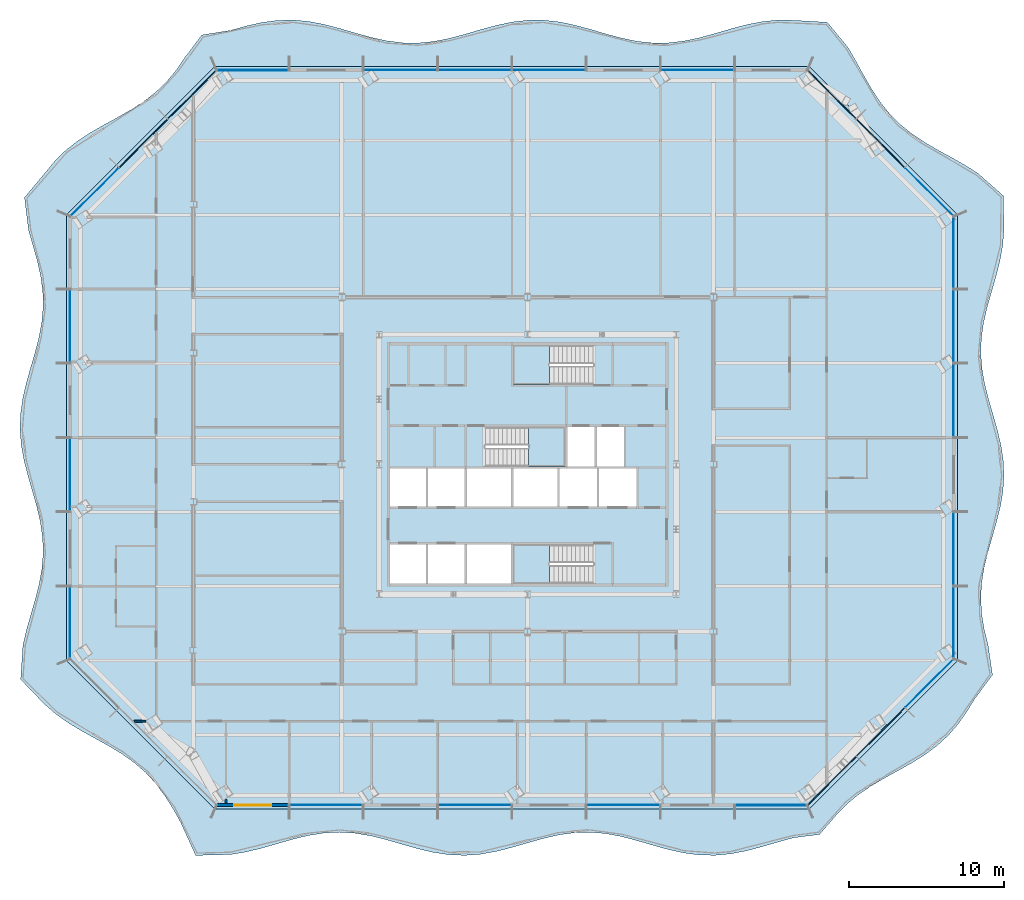
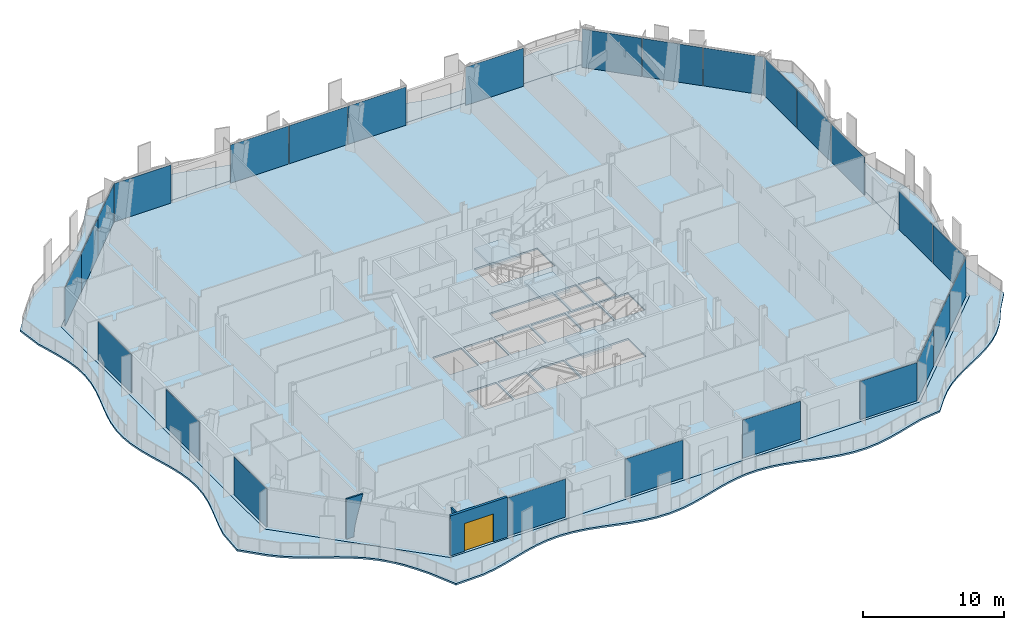
# One storey, part 6 of 21: 26 plates, 5 slabs, 3 walls, 1 door, 1 opening, 10 elements without a shape of their own.
"""IFC4 building model written with IfcOpenShell, lengths in metres."""

from ifc_helpers import new_model, si_unit, direction, frame, frame_2d, origin, origin_2d, place, context, subcontext, project, spatial, polyline, rectangle, outline, extrude, material, layer, layer_set, type_object, element, fill, aggregate, save


model = new_model("IFC4")

# Units and contexts
model_context = context("Model", 3, precision=1e-05, world=origin(), true_north=direction((0.0, 1.0)))
body_context = subcontext(model_context, "Body", "Model", "MODEL_VIEW")
ifc_project = project(units=[si_unit("LENGTHUNIT", "METRE"), si_unit("AREAUNIT", "SQUARE_METRE"), si_unit("VOLUMEUNIT", "CUBIC_METRE"), si_unit("PLANEANGLEUNIT", "RADIAN"), si_unit("MASSUNIT", "GRAM", prefix="KILO")], contexts=[model_context])

# Site, building, storey
site_placement = place(None, origin())
site = spatial("IfcSite", under=ifc_project, at=site_placement, CompositionType="ELEMENT")
building_placement = place(site_placement, origin())
building = spatial("IfcBuilding", under=site, at=building_placement, Name="Cairn Pilgrim Tower", CompositionType="ELEMENT")
storey_placement = place(building_placement, frame((0.0, 0.0, 108.60009765625)))
storey = spatial("IfcBuildingStorey", under=building, at=storey_placement, Name="L26", CompositionType="ELEMENT", Elevation=108.60009765625)

# Slabs
ifc_material_1 = material(Name="Concrete C35/45", Category="concrete")
ifc_layer_1 = layer(ifc_material_1, 0.14990234375)
ifc_layer_set_1 = layer_set([ifc_layer_1], Name="BALCONY SLAB 150 CONCRETE C35/45")
slab_type_1 = type_object("IfcSlabType", Name="BALCONY SLAB 150 CONCRETE C35/45", PredefinedType="FLOOR", material=ifc_layer_set_1)
slab_1_placement = place(storey_placement, frame((0.0, 0.0, -0.150146484375)))
element("IfcSlab", 1, at=slab_1_placement, inside=storey, type_object=slab_type_1, Name="Balcony slab BS-1", PredefinedType="FLOOR", context=body_context, shape_type="SweptSolid", body=[
    extrude(outline(polyline([(-15.230224609375, -20.72265625), (-14.2509765625, -22.872314453125), (-11.997802734375, -22.81396484375), (-10.9873046875, -22.648193359375), (-9.976806640625, -22.400634765625), (-8.96630859375, -22.10986328125), (-7.955810546875, -21.821044921875), (-6.9453125, -21.578857421875), (-5.934814453125, -21.42138671875), (-4.924072265625, -21.37255859375), (-3.91357421875, -21.4404296875), (-2.903076171875, -21.6142578125), (-1.892578125, -21.866943359375), (-0.882080078125, -22.159423828125), (0.12841796875, -22.446044921875), (1.138916015625, -22.682373046875), (2.1494140625, -22.83154296875), (3.16015625, -22.87060546875), (4.170654296875, -22.793212890625), (5.18115234375, -22.61181640625), (6.191650390625, -22.35400390625), (7.2021484375, -22.060302734375), (8.212646484375, -21.7763671875), (9.22314453125, -21.5458984375), (10.233642578125, -21.4052734375), (11.244140625, -21.3759765625), (12.2548828125, -21.462646484375), (13.265380859375, -21.65185546875), (14.27587890625, -21.914306640625), (15.286376953125, -22.208984375), (16.296875, -22.489990234375), (17.307373046875, -22.714111328125), (18.31787109375, -22.84619140625), (19.328369140625, -22.86572265625), (20.3388671875, -22.769775390625), (21.349609375, -22.572998046875), (22.360107421875, -22.306396484375), (23.37060546875, -22.010986328125), (24.381103515625, -21.73291015625), (26.072265625, -21.515380859375), (27.154052734375, -20.263427734375), (27.828369140625, -19.566162109375), (28.577880859375, -18.9443359375), (29.393798828125, -18.388671875), (30.257080078125, -17.88037109375), (31.142333984375, -17.394287109375), (32.021240234375, -16.90185546875), (32.865966796875, -16.375), (33.653564453125, -15.791259765625), (34.36962890625, -15.135986328125), (35.010009765625, -14.40478515625), (35.580810546875, -13.604248046875), (36.0986328125, -12.750732421875), (37.24853515625, -11.20703125), (36.962890625, -9.279052734375), (36.71923828125, -8.2861328125), (36.5537109375, -7.29296875), (36.49169921875, -6.2998046875), (36.542236328125, -5.306640625), (36.697998046875, -4.313720703125), (36.93505859375, -3.320556640625), (37.218505859375, -2.327392578125), (37.505126953125, -1.334228515625), (37.75244140625, -0.34130859375), (37.9228515625, 0.65185546875), (37.990966796875, 1.64501953125), (37.946533203125, 2.63818359375), (37.79638671875, 3.631103515625), (37.562744140625, 4.624267578125), (37.281005859375, 5.617431640625), (36.993408203125, 6.610595703125), (36.742919921875, 7.603515625), (36.5673828125, 8.5966796875), (36.4931640625, 9.58984375), (36.53125, 10.5830078125), (36.676025390625, 11.575927734375), (36.90576171875, 12.569091796875), (37.18603515625, 13.562255859375), (37.474609375, 14.555419921875), (37.72802734375, 15.54833984375), (37.908447265625, 16.54150390625), (37.989013671875, 17.53466796875), (37.95703125, 19.756103515625), (36.307373046875, 21.21484375), (35.467529296875, 21.746337890625), (34.5908203125, 22.2412109375), (33.704833984375, 22.7265625), (32.838134765625, 23.2314453125), (32.0166015625, 23.781494140625), (31.260009765625, 24.396240234375), (30.578125, 25.085693359375), (29.970703125, 25.849609375), (29.42626953125, 26.6767578125), (28.9248046875, 27.546630859375), (28.439697265625, 28.43310546875), (27.9423828125, 29.30712890625), (26.571533203125, 30.976318359375), (24.381103515625, 31.1044921875), (23.37060546875, 31.11962890625), (22.360107421875, 31.01953125), (21.349609375, 30.81982421875), (20.3388671875, 30.55126953125), (19.328369140625, 30.255859375), (18.31787109375, 29.979248046875), (17.307373046875, 29.7646484375), (16.296875, 29.645263671875), (15.286376953125, 29.639892578125), (14.27587890625, 29.7490234375), (13.265380859375, 29.9560546875), (12.2548828125, 30.228515625), (11.244140625, 30.524169921875), (10.233642578125, 30.797119140625), (9.22314453125, 31.0048828125), (8.212646484375, 31.114990234375), (7.2021484375, 31.11083984375), (6.191650390625, 30.99267578125), (5.18115234375, 30.77880859375), (4.170654296875, 30.502685546875), (3.16015625, 30.20703125), (2.1494140625, 29.93798828125), (1.138916015625, 29.7373046875), (0.12841796875, 29.63623046875), (-0.882080078125, 29.650390625), (-1.892578125, 29.777587890625), (-2.903076171875, 29.997802734375), (-3.91357421875, 30.27734375), (-4.924072265625, 30.572509765625), (-5.934814453125, 30.837158203125), (-6.9453125, 31.030517578125), (-7.955810546875, 31.12255859375), (-8.96630859375, 31.0986328125), (-9.976806640625, 30.962890625), (-10.9873046875, 30.736083984375), (-11.997802734375, 30.45361328125), (-13.849853515625, 30.1591796875), (-14.953125, 28.700927734375), (-15.5087890625, 27.88525390625), (-16.130859375, 27.135986328125), (-16.828125, 26.461669921875), (-17.59912109375, 25.861328125), (-18.431396484375, 25.322265625), (-19.304443359375, 24.82373046875), (-20.190673828125, 24.338623046875), (-21.06201171875, 23.838623046875), (-21.8916015625, 23.296630859375), (-22.658935546875, 22.692626953125), (-23.35205078125, 22.014404296875), (-23.97021484375, 21.260986328125), (-25.31591796875, 19.649169921875), (-25.0556640625, 17.53466796875), (-24.765625, 16.54150390625), (-24.48974609375, 15.54833984375), (-24.26904296875, 14.555419921875), (-24.136962890625, 13.562255859375), (-24.11328125, 12.569091796875), (-24.201416015625, 11.575927734375), (-24.38818359375, 10.5830078125), (-24.6455078125, 9.58984375), (-24.93505859375, 8.5966796875), (-25.212890625, 7.603515625), (-25.4375, 6.610595703125), (-25.5751953125, 5.617431640625), (-25.605224609375, 4.624267578125), (-25.523193359375, 3.631103515625), (-25.34130859375, 2.63818359375), (-25.086669921875, 1.64501953125), (-24.798095703125, 0.65185546875), (-24.518310546875, -0.34130859375), (-24.289794921875, -1.334228515625), (-24.146484375, -2.327392578125), (-24.110107421875, -3.320556640625), (-24.186279296875, -4.313720703125), (-24.36328125, -5.306640625), (-24.614501953125, -6.2998046875), (-24.902587890625, -7.29296875), (-25.183837890625, -8.2861328125), (-25.416259765625, -9.279052734375), (-25.56494140625, -11.496826171875), (-24.043701171875, -13.078857421875), (-23.312255859375, -13.718994140625), (-22.511474609375, -14.28955078125), (-21.657958984375, -14.807373046875), (-20.775390625, -15.29638671875), (-19.892333984375, -15.78466796875), (-19.03662109375, -16.300537109375), (-18.233154296875, -16.868408203125), (-17.49853515625, -17.505126953125), (-16.839599609375, -18.2177734375), (-16.252685546875, -19.00244140625), (-15.723876953125, -19.8447265625), (-15.230224609375, -20.72265625)]), holes=[polyline([(25.3916015625, -19.872314453125), (-13.00830078125, -19.872314453125), (-22.6083984375, -10.272216796875), (-22.6083984375, 18.52783203125), (-13.00830078125, 28.127685546875), (25.3916015625, 28.127685546875), (34.99169921875, 18.52783203125), (34.99169921875, -10.272216796875), (25.3916015625, -19.872314453125)])]), origin(), (0.0, 0.0, 1.0), 0.150146484375),
])
ifc_layer_2 = layer(ifc_material_1, 0.14990234375)
ifc_layer_set_2 = layer_set([ifc_layer_2], Name="COMPOSITE FLOOR SLAB 150")
slab_type_2 = type_object("IfcSlabType", Name="COMPOSITE FLOOR SLAB 150", PredefinedType="FLOOR", material=ifc_layer_set_2)
slab_2_placement = place(storey_placement, frame((0.0, 0.0, -0.150146484375)))
element("IfcSlab", 2, at=slab_2_placement, inside=storey, type_object=slab_type_2, Name="FLOOR SLAB L26", PredefinedType="FLOOR", context=body_context, shape_type="SweptSolid", body=[
    extrude(outline(polyline([(-13.00830078125, -19.872314453125), (25.3916015625, -19.872314453125), (34.99169921875, -10.272216796875), (34.99169921875, 18.52783203125), (25.3916015625, 28.127685546875), (-13.00830078125, 28.127685546875), (-22.6083984375, 18.52783203125), (-22.6083984375, -10.272216796875), (-13.00830078125, -19.872314453125)]), holes=[polyline([(-1.72509765625, -5.300048828125), (0.625, -5.300048828125), (0.625, -2.77490234375), (-1.72509765625, -2.77490234375), (-1.72509765625, -5.300048828125)]), polyline([(0.77490234375, -5.300048828125), (3.125, -5.300048828125), (3.125, -2.77490234375), (0.77490234375, -2.77490234375), (0.77490234375, -5.300048828125)]), polyline([(-1.72509765625, -0.324951171875), (0.625, -0.324951171875), (0.625, 2.125), (-1.72509765625, 2.125), (-1.72509765625, -0.324951171875)]), polyline([(0.77490234375, -0.324951171875), (3.125, -0.324951171875), (3.125, 2.125), (0.77490234375, 2.125), (0.77490234375, -0.324951171875)]), polyline([(3.27490234375, -5.300048828125), (6.125, -5.300048828125), (6.125, -2.77490234375), (3.27490234375, -2.77490234375), (3.27490234375, -5.300048828125)]), polyline([(3.27490234375, -0.324951171875), (6.125, -0.324951171875), (6.125, 2.125), (3.27490234375, 2.125), (3.27490234375, -0.324951171875)]), polyline([(6.27490234375, -0.324951171875), (9.125, -0.324951171875), (9.125, 2.125), (6.27490234375, 2.125), (6.27490234375, -0.324951171875)]), polyline([(9.27490234375, -0.324951171875), (11.675048828125, -0.324951171875), (11.675048828125, 2.125), (9.27490234375, 2.125), (9.27490234375, -0.324951171875)]), polyline([(11.824951171875, -0.324951171875), (14.22509765625, -0.324951171875), (14.22509765625, 2.125), (11.824951171875, 2.125), (11.824951171875, -0.324951171875)]), polyline([(9.77490234375, 2.27490234375), (11.52490234375, 2.27490234375), (11.52490234375, 4.824951171875), (9.77490234375, 4.824951171875), (9.77490234375, 2.27490234375)]), polyline([(11.675048828125, 2.27490234375), (13.425048828125, 2.27490234375), (13.425048828125, 4.824951171875), (11.675048828125, 4.824951171875), (11.675048828125, 2.27490234375)]), polyline([(11.424560546875, -2.77490234375), (6.27490234375, -2.77490234375), (6.27490234375, -5.300048828125), (11.424560546875, -5.300048828125), (11.424560546875, -2.77490234375)]), polyline([(4.4755859375, 2.27490234375), (9.625, 2.27490234375), (9.625, 4.824951171875), (4.4755859375, 4.824951171875), (4.4755859375, 2.27490234375)]), polyline([(11.424560546875, 10.10009765625), (6.27490234375, 10.10009765625), (6.27490234375, 7.574951171875), (11.424560546875, 7.574951171875), (11.424560546875, 10.10009765625)])]), origin(), (0.0, 0.0, 1.0), 0.150146484375),
])

# Curtain wall, plate
ifc_material_2 = material(Name="Aluminium alloy 6063-T6 bronze anodised with Bronze tinted laminated low-E glass 8+16+8.8", Category="aluminium")
curtain_wall_type_1 = type_object("IfcCurtainWallType", Name="CHAMFER CORNER CURTAIN WALL", PredefinedType="NOTDEFINED", material=ifc_material_2)
curtain_wall_1_placement = place(storey_placement, origin())
curtain_wall_1 = element("IfcCurtainWall", 3, at=curtain_wall_1_placement, inside=storey, type_object=curtain_wall_type_1, Name="Chamfer Corner Curtain Wall SE", PredefinedType="NOTDEFINED")
ifc_material_3 = material(Name="Bronze anodised aluminium spandrel panel with mineral wool insulation", Category="aluminium")
ifc_layer_3 = layer(ifc_material_3, 0.06005859375)
ifc_layer_set_3 = layer_set([ifc_layer_3], Name="SPANDREL PANEL 4386x3300")
plate_type_1 = type_object("IfcPlateType", Name="SPANDREL PANEL 4386x3300", PredefinedType="CURTAIN_PANEL", material=ifc_layer_set_3)
plate_1_placement = place(storey_placement, frame((26.8671875, -18.043212890625, 0.0), z_axis=(0.0, 0.0, 1.0), x_axis=(0.707106781187, 0.707106781187, 0.0)))
plate_1 = element("IfcPlate", 4, at=plate_1_placement, type_object=plate_type_1, Name="Spandrel Panel SE1-1", PredefinedType="CURTAIN_PANEL", context=body_context, shape_type="SweptSolid", body=[
    extrude(rectangle(XDim=4.386474609375, YDim=0.06005859375, at=origin_2d()), origin(), (0.0, 0.0, 1.0), 3.300048828125),
])

curtain_wall_2_placement = place(storey_placement, origin())
curtain_wall_2 = element("IfcCurtainWall", 5, at=curtain_wall_2_placement, inside=storey, type_object=curtain_wall_type_1, Name="Chamfer Corner Curtain Wall NE", PredefinedType="NOTDEFINED")
plate_2_placement = place(storey_placement, frame((26.8671875, 26.298583984375, 0.0), z_axis=(0.0, 0.0, 1.0), x_axis=(-0.707106781187, 0.707106781187, 0.0)))
plate_2 = element("IfcPlate", 6, at=plate_2_placement, type_object=plate_type_1, Name="Spandrel Panel NE3-1", PredefinedType="CURTAIN_PANEL", context=body_context, shape_type="SweptSolid", body=[
    extrude(rectangle(XDim=4.386474609375, YDim=0.06005859375, at=origin_2d()), origin(), (0.0, 0.0, 1.0), 3.300048828125),
])

curtain_wall_3_placement = place(storey_placement, origin())
curtain_wall_3 = element("IfcCurtainWall", 7, at=curtain_wall_3_placement, inside=storey, type_object=curtain_wall_type_1, Name="Chamfer Corner Curtain Wall NW", PredefinedType="NOTDEFINED")
plate_3_placement = place(storey_placement, frame((-14.48388671875, 26.298583984375, 0.0), z_axis=(0.0, 0.0, 1.0), x_axis=(-0.707106781187, -0.707106781187, 0.0)))
plate_3 = element("IfcPlate", 8, at=plate_3_placement, type_object=plate_type_1, Name="Spandrel Panel NW1-1", PredefinedType="CURTAIN_PANEL", context=body_context, shape_type="SweptSolid", body=[
    extrude(rectangle(XDim=4.386474609375, YDim=0.06005859375, at=origin_2d()), origin(), (0.0, 0.0, 1.0), 3.300048828125),
])

# Plate
ifc_layer_4 = layer(ifc_material_3, 0.06005859375)
ifc_layer_set_4 = layer_set([ifc_layer_4], Name="SPANDREL PANEL 4396x3300")
plate_type_2 = type_object("IfcPlateType", Name="SPANDREL PANEL 4396x3300", PredefinedType="CURTAIN_PANEL", material=ifc_layer_set_4)
plate_4_placement = place(storey_placement, frame((30.014892578125, -14.8955078125, 0.0), z_axis=(0.0, 0.0, 1.0), x_axis=(0.707106781187, 0.707106781187, 0.0)))
plate_4 = element("IfcPlate", 9, at=plate_4_placement, type_object=plate_type_2, Name="Spandrel Panel SE2-1", PredefinedType="CURTAIN_PANEL", context=body_context, shape_type="SweptSolid", body=[
    extrude(rectangle(XDim=4.396484375, YDim=0.06005859375, at=origin_2d()), origin(), (0.0, 0.0, 1.0), 3.300048828125),
])

plate_5_placement = place(storey_placement, frame((30.014892578125, 23.15087890625, 0.0), z_axis=(0.0, 0.0, 1.0), x_axis=(-0.707106781187, 0.707106781187, 0.0)))
plate_5 = element("IfcPlate", 10, at=plate_5_placement, type_object=plate_type_2, Name="Spandrel Panel NE2-1", PredefinedType="CURTAIN_PANEL", context=body_context, shape_type="SweptSolid", body=[
    extrude(rectangle(XDim=4.396484375, YDim=0.06005859375, at=origin_2d()), origin(), (0.0, 0.0, 1.0), 3.300048828125),
])

plate_6_placement = place(storey_placement, frame((-17.631591796875, 23.15087890625, 0.0), z_axis=(0.0, 0.0, 1.0), x_axis=(-0.707106781187, -0.707106781187, 0.0)))
plate_6 = element("IfcPlate", 11, at=plate_6_placement, type_object=plate_type_2, Name="Spandrel Panel NW2-1", PredefinedType="CURTAIN_PANEL", context=body_context, shape_type="SweptSolid", body=[
    extrude(rectangle(XDim=4.396484375, YDim=0.06005859375, at=origin_2d()), origin(), (0.0, 0.0, 1.0), 3.300048828125),
])

# Curtain wall, plate
curtain_wall_type_2 = type_object("IfcCurtainWallType", Name="TOWER STICK CURTAIN WALL NS", PredefinedType="NOTDEFINED", material=ifc_material_2)
curtain_wall_4_placement = place(storey_placement, origin())
curtain_wall_4 = element("IfcCurtainWall", 12, at=curtain_wall_4_placement, inside=storey, type_object=curtain_wall_type_2, Name="Tower Stick Curtain Wall Ns S", PredefinedType="NOTDEFINED")
ifc_layer_5 = layer(ifc_material_3, 0.06005859375)
ifc_layer_set_5 = layer_set([ifc_layer_5], Name="SPANDREL PANEL 4626x3300")
plate_type_3 = type_object("IfcPlateType", Name="SPANDREL PANEL 4626x3300", PredefinedType="CURTAIN_PANEL", material=ifc_layer_set_5)
plate_7_placement = place(storey_placement, frame((22.934814453125, -19.622314453125, 0.0), z_axis=(0.0, 0.0, 1.0), x_axis=(1.0, 0.0, 0.0)))
plate_7 = element("IfcPlate", 13, at=plate_7_placement, type_object=plate_type_3, Name="Spandrel Panel S8-1", PredefinedType="CURTAIN_PANEL", context=body_context, shape_type="SweptSolid", body=[
    extrude(rectangle(XDim=4.62646484375, YDim=0.06005859375, at=origin_2d()), origin(), (0.0, 0.0, 1.0), 3.300048828125),
])

curtain_wall_5_placement = place(storey_placement, origin())
curtain_wall_5 = element("IfcCurtainWall", 14, at=curtain_wall_5_placement, inside=storey, type_object=curtain_wall_type_2, Name="Tower Stick Curtain Wall Ns N", PredefinedType="NOTDEFINED")
plate_8_placement = place(storey_placement, frame((-10.551513671875, 27.877685546875, 0.0), z_axis=(0.0, 0.0, 1.0), x_axis=(-1.0, 0.0, 0.0)))
plate_8 = element("IfcPlate", 15, at=plate_8_placement, type_object=plate_type_3, Name="Spandrel Panel N8-1", PredefinedType="CURTAIN_PANEL", context=body_context, shape_type="SweptSolid", body=[
    extrude(rectangle(XDim=4.62646484375, YDim=0.06005859375, at=origin_2d()), origin(), (0.0, 0.0, 1.0), 3.300048828125),
])

# Stair, slab
ifc_material_4 = material(Name="Concrete C32/40", Category="concrete")
stair_type = type_object("IfcStairType", Name="EXIT STAIR 1200", PredefinedType="HALF_TURN_STAIR", material=ifc_material_4)
stair_1_placement = place(storey_placement, origin())
stair_1 = element("IfcStair", 16, at=stair_1_placement, inside=storey, type_object=stair_type, Name="L26 Exit Stair A", PredefinedType="HALF_TURN_STAIR")
ifc_layer_6 = layer(ifc_material_4, 0.199951171875)
ifc_layer_set_6 = layer_set([ifc_layer_6], Name="STAIR LANDING 200")
slab_type_3 = type_object("IfcSlabType", Name="STAIR LANDING 200", PredefinedType="LANDING", material=ifc_layer_set_6)
slab_3_placement = place(storey_placement, frame((0.0, 0.0, 1.599853515625)))
slab_3 = element("IfcSlab", 17, at=slab_3_placement, type_object=slab_type_3, Name="ST-A landing 1", PredefinedType="LANDING", context=body_context, shape_type="SweptSolid", body=[
    extrude(outline(polyline([(8.625, -2.77490234375), (6.27490234375, -2.77490234375), (6.27490234375, -5.300048828125), (8.625, -5.300048828125), (8.625, -2.77490234375)])), origin(), (0.0, 0.0, 1.0), 0.199951171875),
])
aggregate(stair_1, [slab_3])

stair_2_placement = place(storey_placement, origin())
stair_2 = element("IfcStair", 18, at=stair_2_placement, inside=storey, type_object=stair_type, Name="L26 Exit Stair B", PredefinedType="HALF_TURN_STAIR")
slab_4_placement = place(storey_placement, frame((0.0, 0.0, 1.599853515625)))
slab_4 = element("IfcSlab", 19, at=slab_4_placement, type_object=slab_type_3, Name="ST-B landing 1", PredefinedType="LANDING", context=body_context, shape_type="SweptSolid", body=[
    extrude(outline(polyline([(7.27490234375, 2.27490234375), (9.625, 2.27490234375), (9.625, 4.824951171875), (7.27490234375, 4.824951171875), (7.27490234375, 2.27490234375)])), origin(), (0.0, 0.0, 1.0), 0.199951171875),
])
aggregate(stair_2, [slab_4])

stair_3_placement = place(storey_placement, origin())
stair_3 = element("IfcStair", 20, at=stair_3_placement, inside=storey, type_object=stair_type, Name="L26 Exit Stair C", PredefinedType="HALF_TURN_STAIR")
slab_5_placement = place(storey_placement, frame((0.0, 0.0, 1.599853515625)))
slab_5 = element("IfcSlab", 21, at=slab_5_placement, type_object=slab_type_3, Name="ST-C landing 1", PredefinedType="LANDING", context=body_context, shape_type="SweptSolid", body=[
    extrude(outline(polyline([(8.625, 10.10009765625), (6.27490234375, 10.10009765625), (6.27490234375, 7.574951171875), (8.625, 7.574951171875), (8.625, 10.10009765625)])), origin(), (0.0, 0.0, 1.0), 0.199951171875),
])
aggregate(stair_3, [slab_5])

# Plate
ifc_material_5 = material(Name="Bronze tinted laminated low-E glass 8+16+8.8", Category="glass")
ifc_layer_7 = layer(ifc_material_5, 0.033935546875)
ifc_layer_set_7 = layer_set([ifc_layer_7], Name="VISION GLAZING 4386x3300")
plate_type_4 = type_object("IfcPlateType", Name="VISION GLAZING 4386x3300", PredefinedType="CURTAIN_PANEL", material=ifc_layer_set_7)
plate_9_placement = place(storey_placement, frame((33.16259765625, -11.747802734375, 0.0), z_axis=(0.0, 0.0, 1.0), x_axis=(0.707106781187, 0.707106781187, 0.0)))
plate_9 = element("IfcPlate", 22, at=plate_9_placement, type_object=plate_type_4, Name="Vision Glazing SE3-1", PredefinedType="CURTAIN_PANEL", context=body_context, shape_type="SweptSolid", body=[
    extrude(rectangle(XDim=4.386474609375, YDim=0.033935546875, at=origin_2d()), origin(), (0.0, 0.0, 1.0), 3.300048828125),
])

aggregate(curtain_wall_1, [plate_1, plate_4, plate_9])

plate_10_placement = place(storey_placement, frame((33.16259765625, 20.00341796875, 0.0), z_axis=(0.0, 0.0, 1.0), x_axis=(-0.707106781187, 0.707106781187, 0.0)))
plate_10 = element("IfcPlate", 23, at=plate_10_placement, type_object=plate_type_4, Name="Vision Glazing NE1-1", PredefinedType="CURTAIN_PANEL", context=body_context, shape_type="SweptSolid", body=[
    extrude(rectangle(XDim=4.386474609375, YDim=0.033935546875, at=origin_2d()), origin(), (0.0, 0.0, 1.0), 3.300048828125),
])

aggregate(curtain_wall_2, [plate_10, plate_5, plate_2])

plate_11_placement = place(storey_placement, frame((-20.779296875, 20.00341796875, 0.0), z_axis=(0.0, 0.0, 1.0), x_axis=(-0.707106781187, -0.707106781187, 0.0)))
plate_11 = element("IfcPlate", 24, at=plate_11_placement, type_object=plate_type_4, Name="Vision Glazing NW3-1", PredefinedType="CURTAIN_PANEL", context=body_context, shape_type="SweptSolid", body=[
    extrude(rectangle(XDim=4.386474609375, YDim=0.033935546875, at=origin_2d()), origin(), (0.0, 0.0, 1.0), 3.300048828125),
])

aggregate(curtain_wall_3, [plate_3, plate_6, plate_11])

# Curtain wall, plates
curtain_wall_type_3 = type_object("IfcCurtainWallType", Name="TOWER STICK CURTAIN WALL EW", PredefinedType="NOTDEFINED", material=ifc_material_2)
curtain_wall_6_placement = place(storey_placement, origin())
curtain_wall_6 = element("IfcCurtainWall", 25, at=curtain_wall_6_placement, inside=storey, type_object=curtain_wall_type_3, Name="Tower Stick Curtain Wall Ew E", PredefinedType="NOTDEFINED")
ifc_layer_8 = layer(ifc_material_5, 0.033935546875)
ifc_layer_set_8 = layer_set([ifc_layer_8], Name="VISION GLAZING 4626x3300")
plate_type_5 = type_object("IfcPlateType", Name="VISION GLAZING 4626x3300", PredefinedType="CURTAIN_PANEL", material=ifc_layer_set_8)
plate_12_placement = place(storey_placement, frame((34.74169921875, -7.8154296875, 0.0), z_axis=(0.0, 0.0, 1.0), x_axis=(0.0, 1.0, 0.0)))
plate_12 = element("IfcPlate", 26, at=plate_12_placement, type_object=plate_type_5, Name="Vision Glazing E1-1", PredefinedType="CURTAIN_PANEL", context=body_context, shape_type="SweptSolid", body=[
    extrude(rectangle(XDim=4.62646484375, YDim=0.033935546875, at=origin_2d()), origin(), (0.0, 0.0, 1.0), 3.300048828125),
])
plate_13_placement = place(storey_placement, frame((34.74169921875, 16.071044921875, 0.0), z_axis=(0.0, 0.0, 1.0), x_axis=(0.0, 1.0, 0.0)))
plate_13 = element("IfcPlate", 27, at=plate_13_placement, type_object=plate_type_5, Name="Vision Glazing E6-1", PredefinedType="CURTAIN_PANEL", context=body_context, shape_type="SweptSolid", body=[
    extrude(rectangle(XDim=4.62646484375, YDim=0.033935546875, at=origin_2d()), origin(), (0.0, 0.0, 1.0), 3.300048828125),
])

# Curtain wall, plate
curtain_wall_7_placement = place(storey_placement, origin())
curtain_wall_7 = element("IfcCurtainWall", 28, at=curtain_wall_7_placement, inside=storey, type_object=curtain_wall_type_3, Name="Tower Stick Curtain Wall Ew W", PredefinedType="NOTDEFINED")
plate_14_placement = place(storey_placement, frame((-22.3583984375, -7.8154296875, 0.0), z_axis=(0.0, 0.0, 1.0), x_axis=(0.0, -1.0, 0.0)))
plate_14 = element("IfcPlate", 29, at=plate_14_placement, type_object=plate_type_5, Name="Vision Glazing W6-1", PredefinedType="CURTAIN_PANEL", context=body_context, shape_type="SweptSolid", body=[
    extrude(rectangle(XDim=4.62646484375, YDim=0.033935546875, at=origin_2d()), origin(), (0.0, 0.0, 1.0), 3.300048828125),
])

# Plate
ifc_layer_9 = layer(ifc_material_5, 0.033935546875)
ifc_layer_set_9 = layer_set([ifc_layer_9], Name="VISION GLAZING 4740x3300")
plate_type_6 = type_object("IfcPlateType", Name="VISION GLAZING 4740x3300", PredefinedType="CURTAIN_PANEL", material=ifc_layer_set_9)
plate_15_placement = place(storey_placement, frame((-5.808349609375, -19.622314453125, 0.0), z_axis=(0.0, 0.0, 1.0), x_axis=(1.0, 0.0, 0.0)))
plate_15 = element("IfcPlate", 30, at=plate_15_placement, type_object=plate_type_6, Name="Vision Glazing S2-1", PredefinedType="CURTAIN_PANEL", context=body_context, shape_type="SweptSolid", body=[
    extrude(rectangle(XDim=4.739990234375, YDim=0.033935546875, at=origin_2d()), origin(), (0.0, 0.0, 1.0), 3.300048828125),
])

plate_16_placement = place(storey_placement, frame((3.79150390625, -19.622314453125, 0.0), z_axis=(0.0, 0.0, 1.0), x_axis=(1.0, 0.0, 0.0)))
plate_16 = element("IfcPlate", 31, at=plate_16_placement, type_object=plate_type_6, Name="Vision Glazing S4-1", PredefinedType="CURTAIN_PANEL", context=body_context, shape_type="SweptSolid", body=[
    extrude(rectangle(XDim=4.739990234375, YDim=0.033935546875, at=origin_2d()), origin(), (0.0, 0.0, 1.0), 3.300048828125),
])

plate_17_placement = place(storey_placement, frame((13.3916015625, -19.622314453125, 0.0), z_axis=(0.0, 0.0, 1.0), x_axis=(1.0, 0.0, 0.0)))
plate_17 = element("IfcPlate", 32, at=plate_17_placement, type_object=plate_type_6, Name="Vision Glazing S6-1", PredefinedType="CURTAIN_PANEL", context=body_context, shape_type="SweptSolid", body=[
    extrude(rectangle(XDim=4.739990234375, YDim=0.033935546875, at=origin_2d()), origin(), (0.0, 0.0, 1.0), 3.300048828125),
])

aggregate(curtain_wall_4, [plate_15, plate_16, plate_17, plate_7])

plate_18_placement = place(storey_placement, frame((34.74169921875, -3.072265625, 0.0), z_axis=(0.0, 0.0, 1.0), x_axis=(0.0, 1.0, 0.0)))
plate_18 = element("IfcPlate", 33, at=plate_18_placement, type_object=plate_type_6, Name="Vision Glazing E2-1", PredefinedType="CURTAIN_PANEL", context=body_context, shape_type="SweptSolid", body=[
    extrude(rectangle(XDim=4.739990234375, YDim=0.033935546875, at=origin_2d()), origin(), (0.0, 0.0, 1.0), 3.300048828125),
])

plate_19_placement = place(storey_placement, frame((34.74169921875, 6.52783203125, 0.0), z_axis=(0.0, 0.0, 1.0), x_axis=(0.0, 1.0, 0.0)))
plate_19 = element("IfcPlate", 34, at=plate_19_placement, type_object=plate_type_6, Name="Vision Glazing E4-1", PredefinedType="CURTAIN_PANEL", context=body_context, shape_type="SweptSolid", body=[
    extrude(rectangle(XDim=4.739990234375, YDim=0.033935546875, at=origin_2d()), origin(), (0.0, 0.0, 1.0), 3.300048828125),
])

plate_20_placement = place(storey_placement, frame((34.74169921875, 11.32763671875, 0.0), z_axis=(0.0, 0.0, 1.0), x_axis=(0.0, 1.0, 0.0)))
plate_20 = element("IfcPlate", 35, at=plate_20_placement, type_object=plate_type_6, Name="Vision Glazing E5-1", PredefinedType="CURTAIN_PANEL", context=body_context, shape_type="SweptSolid", body=[
    extrude(rectangle(XDim=4.739990234375, YDim=0.033935546875, at=origin_2d()), origin(), (0.0, 0.0, 1.0), 3.300048828125),
])

aggregate(curtain_wall_6, [plate_12, plate_18, plate_19, plate_20, plate_13])

plate_21_placement = place(storey_placement, frame((18.191650390625, 27.877685546875, 0.0), z_axis=(0.0, 0.0, 1.0), x_axis=(-1.0, 0.0, 0.0)))
plate_21 = element("IfcPlate", 36, at=plate_21_placement, type_object=plate_type_6, Name="Vision Glazing N2-1", PredefinedType="CURTAIN_PANEL", context=body_context, shape_type="SweptSolid", body=[
    extrude(rectangle(XDim=4.739990234375, YDim=0.033935546875, at=origin_2d()), origin(), (0.0, 0.0, 1.0), 3.300048828125),
])

plate_22_placement = place(storey_placement, frame((8.591552734375, 27.877685546875, 0.0), z_axis=(0.0, 0.0, 1.0), x_axis=(-1.0, 0.0, 0.0)))
plate_22 = element("IfcPlate", 37, at=plate_22_placement, type_object=plate_type_6, Name="Vision Glazing N4-1", PredefinedType="CURTAIN_PANEL", context=body_context, shape_type="SweptSolid", body=[
    extrude(rectangle(XDim=4.739990234375, YDim=0.033935546875, at=origin_2d()), origin(), (0.0, 0.0, 1.0), 3.300048828125),
])

plate_23_placement = place(storey_placement, frame((3.79150390625, 27.877685546875, 0.0), z_axis=(0.0, 0.0, 1.0), x_axis=(-1.0, 0.0, 0.0)))
plate_23 = element("IfcPlate", 38, at=plate_23_placement, type_object=plate_type_6, Name="Vision Glazing N5-1", PredefinedType="CURTAIN_PANEL", context=body_context, shape_type="SweptSolid", body=[
    extrude(rectangle(XDim=4.739990234375, YDim=0.033935546875, at=origin_2d()), origin(), (0.0, 0.0, 1.0), 3.300048828125),
])

plate_24_placement = place(storey_placement, frame((-1.00830078125, 27.877685546875, 0.0), z_axis=(0.0, 0.0, 1.0), x_axis=(-1.0, 0.0, 0.0)))
plate_24 = element("IfcPlate", 39, at=plate_24_placement, type_object=plate_type_6, Name="Vision Glazing N6-1", PredefinedType="CURTAIN_PANEL", context=body_context, shape_type="SweptSolid", body=[
    extrude(rectangle(XDim=4.739990234375, YDim=0.033935546875, at=origin_2d()), origin(), (0.0, 0.0, 1.0), 3.300048828125),
])

aggregate(curtain_wall_5, [plate_21, plate_22, plate_23, plate_24, plate_8])

plate_25_placement = place(storey_placement, frame((-22.3583984375, 11.32763671875, 0.0), z_axis=(0.0, 0.0, 1.0), x_axis=(0.0, -1.0, 0.0)))
plate_25 = element("IfcPlate", 40, at=plate_25_placement, type_object=plate_type_6, Name="Vision Glazing W2-1", PredefinedType="CURTAIN_PANEL", context=body_context, shape_type="SweptSolid", body=[
    extrude(rectangle(XDim=4.739990234375, YDim=0.033935546875, at=origin_2d()), origin(), (0.0, 0.0, 1.0), 3.300048828125),
])

plate_26_placement = place(storey_placement, frame((-22.3583984375, 1.727783203125, 0.0), z_axis=(0.0, 0.0, 1.0), x_axis=(0.0, -1.0, 0.0)))
plate_26 = element("IfcPlate", 41, at=plate_26_placement, type_object=plate_type_6, Name="Vision Glazing W4-1", PredefinedType="CURTAIN_PANEL", context=body_context, shape_type="SweptSolid", body=[
    extrude(rectangle(XDim=4.739990234375, YDim=0.033935546875, at=origin_2d()), origin(), (0.0, 0.0, 1.0), 3.300048828125),
])

aggregate(curtain_wall_7, [plate_25, plate_26, plate_14])

# Wall, opening, door
ifc_material_6 = material(Name="Bronze anodised aluminium insulated sandwich panel with mineral wool fill", Category="aluminium")
ifc_layer_10 = layer(ifc_material_6, 0.199951171875)
ifc_layer_set_10 = layer_set([ifc_layer_10], Name="BRONZE INFILL FRAME WALL 200")
wall_type_1 = type_object("IfcWallType", Name="BRONZE INFILL FRAME WALL 200", PredefinedType="NOTDEFINED", material=ifc_layer_set_10)
wall_1_placement = place(storey_placement, frame((-12.86474609375, -19.622314453125, 0.0), z_axis=(0.0, 0.0, 1.0), x_axis=(1.0, 0.0, 0.0)))
wall_1 = element("IfcWall", 42, at=wall_1_placement, inside=storey, type_object=wall_type_1, Name="Bronze infill frame wall IW-S1", PredefinedType="NOTDEFINED", context=body_context, shape_type="SweptSolid", body=[
    extrude(rectangle(XDim=4.62646484375, YDim=0.199951171875, at=frame_2d((2.313232421875, 0.0))), origin(), (0.0, 0.0, 1.0), 3.449951171875),
])
opening_placement = place(wall_1_placement, frame((1.10791015625, 0.0, 0.0)))
opening = element("IfcOpeningElement", 43, at=opening_placement, cuts=wall_1, Name="Opening 2602B", PredefinedType="OPENING", context=body_context, shape_type="SweptSolid", body=[
    extrude(rectangle(XDim=2.39990234375, YDim=2.39990234375, at=frame_2d((1.199951171875, 1.199951171875))), frame((0.0, 0.10986328125, 0.0), z_axis=(0.0, -1.0, 0.0), x_axis=(1.0, 0.0, 0.0)), (0.0, 0.0, 1.0), 0.219970703125),
])
ifc_material_7 = material(Name="Bronze anodised aluminium frame with tinted low-E glass", Category="aluminium")
door_type = type_object("IfcDoorType", Name="BALCONY SLIDING DOOR 2400x2400", OperationType="DOUBLE_DOOR_SLIDING", PredefinedType="DOOR", material=ifc_material_7)
door_placement = place(opening_placement, origin())
door = element("IfcDoor", 44, at=door_placement, inside=storey, type_object=door_type, Name="Balcony sliding door 2602B", OperationType="SINGLE_SWING_LEFT", OverallHeight=2.39990234375, OverallWidth=2.39990234375, PredefinedType="DOOR", context=body_context, shape_type="SweptSolid", body=[
    extrude(rectangle(XDim=2.39990234375, YDim=2.39990234375, at=frame_2d((1.199951171875, 1.199951171875))), frame((0.0, 0.02490234375, 0.0), z_axis=(0.0, -1.0, 0.0), x_axis=(1.0, 0.0, 0.0)), (0.0, 0.0, 1.0), 0.050048828125),
])
fill(opening, door)

# Walls
ifc_material_8 = material(Name="Gypsum partition")
ifc_layer_11 = layer(ifc_material_8, 0.125)
ifc_layer_set_11 = layer_set([ifc_layer_11], Name="PARTITION 125 DRYWALL EI 60")
wall_type_2 = type_object("IfcWallType", Name="PARTITION 125 DRYWALL EI 60", PredefinedType="PARTITIONING", material=ifc_layer_set_11)
wall_2_placement = place(storey_placement, frame((-12.2919921875, -19.4921875, 0.0), z_axis=(0.0, 0.0, 1.0), x_axis=(0.0, 1.0, 0.0)))
element("IfcWall", 45, at=wall_2_placement, inside=storey, type_object=wall_type_2, Name="PARTITION W001", PredefinedType="PARTITIONING", context=body_context, shape_type="SweptSolid", body=[
    extrude(outline(polyline([(0.0, 0.0), (0.2265625, 0.0), (0.2265625, 0.8623046875), (0.2265625, 1.724853515625), (0.30810546875, 2.58740234375), (0.661376953125, 3.449951171875), (0.0, 3.449951171875), (0.0, 2.58740234375), (0.0, 1.724853515625), (0.0, 0.8623046875), (0.0, 0.0)])), frame((0.0, 0.0625, 0.0), z_axis=(0.0, -1.0, 0.0), x_axis=(1.0, 0.0, 0.0)), (0.0, 0.0, 1.0), 0.125),
])
wall_3_placement = place(storey_placement, frame((-18.21923828125, -14.199951171875, 0.0), z_axis=(0.0, 0.0, 1.0), x_axis=(1.0, 0.0, 0.0)))
element("IfcWall", 46, at=wall_3_placement, inside=storey, type_object=wall_type_2, Name="PARTITION W014", PredefinedType="PARTITIONING", context=body_context, shape_type="SweptSolid", body=[
    extrude(outline(polyline([(0.0, 0.0), (0.586181640625, 0.0), (0.677490234375, 0.8623046875), (0.87255859375, 1.724853515625), (1.110595703125, 2.58740234375), (1.3486328125, 3.449951171875), (0.0, 3.449951171875), (0.0, 2.58740234375), (0.0, 1.724853515625), (0.0, 0.8623046875), (0.0, 0.0)])), frame((0.0, 0.0625, 0.0), z_axis=(0.0, -1.0, 0.0), x_axis=(1.0, 0.0, 0.0)), (0.0, 0.0, 1.0), 0.125),
])

save(model, "model.ifc")
